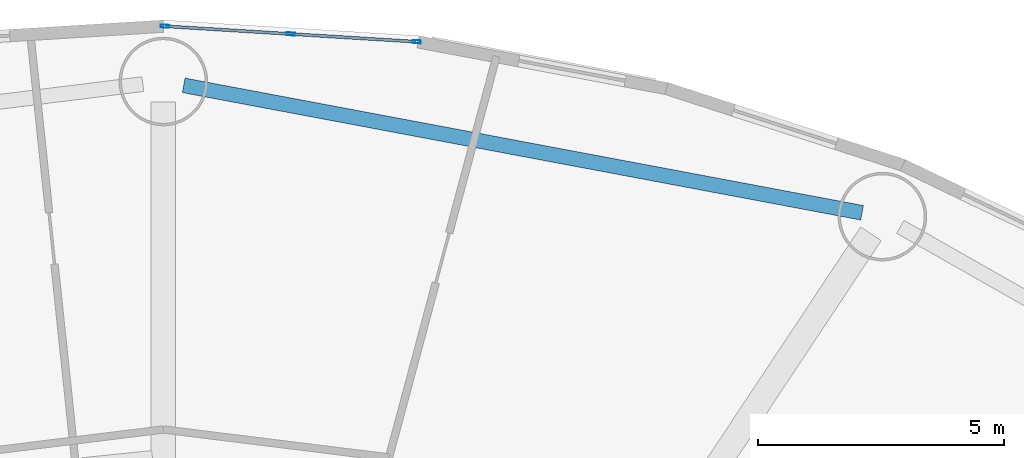
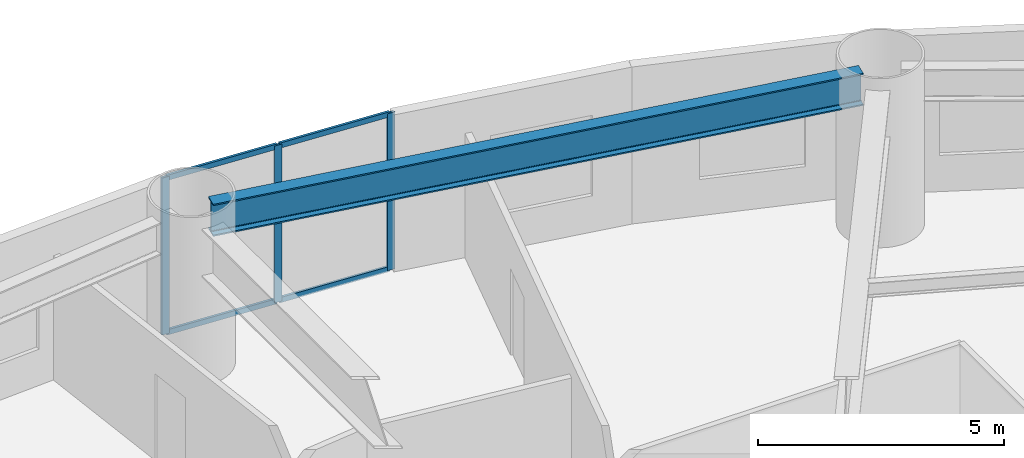
# One storey, part 10 of 27: 7 members, 1 beam, 1 element without a shape of its own.
"""IFC4 building model written with IfcOpenShell, lengths in metres."""

from ifc_helpers import new_model, si_unit, direction, frame, origin, origin_2d, place, context, subcontext, project, spatial, hollow_rectangle, i_section, extrude, source, transform, mapped, material, layer, layer_set, material_profile, profile_set, type_object, element, aggregate, save


model = new_model("IFC4")

# Units and contexts
model_context = context("Model", 3, precision=1e-05, world=origin(), true_north=direction((0.0, 1.0)))
body_context = subcontext(model_context, "Body", "Model", "MODEL_VIEW")
ifc_project = project(units=[si_unit("LENGTHUNIT", "METRE"), si_unit("AREAUNIT", "SQUARE_METRE"), si_unit("VOLUMEUNIT", "CUBIC_METRE"), si_unit("PLANEANGLEUNIT", "RADIAN"), si_unit("MASSUNIT", "GRAM", prefix="KILO")], contexts=[model_context])

# Site, building, storey
site_placement = place(None, origin())
site = spatial("IfcSite", under=ifc_project, at=site_placement, CompositionType="ELEMENT")
building_placement = place(site_placement, origin())
building = spatial("IfcBuilding", under=site, at=building_placement, Name="Linh Dai School and Residence Tower", CompositionType="ELEMENT")
storey_placement = place(building_placement, frame((0.0, 0.0, 22.800048828125)))
storey = spatial("IfcBuildingStorey", under=building, at=storey_placement, Name="L05", CompositionType="ELEMENT", Elevation=22.800048828125)

# Beam
ifc_material_1 = material(Name="Structural Steel S355JR", Category="steel")
ifc_material_profile_1 = material_profile(ifc_material_1, i_section(OverallWidth=0.300048828125, OverallDepth=0.800048828125, WebThickness=0.017578125, FlangeThickness=0.032958984375, FilletRadius=0.030029296875, at=origin_2d()), Name="HEB 800")
ifc_profile_set_1 = profile_set([ifc_material_profile_1], Name="Structural Steel S355JR")
beam_type = type_object("IfcBeamType", Name="BM-RG8", PredefinedType="BEAM", material=ifc_profile_set_1)
beam_placement = place(storey_placement, frame((50.196533203125, 49.082763671875, 3.5), z_axis=(-0.98280551354, 0.184643772045, 0.0), x_axis=(-0.184643772045, -0.98280551354, 0.0)))
element("IfcBeam", 1, at=beam_placement, inside=storey, type_object=beam_type, Name="L05 Perimeter Elliptical Ring Beam 04", PredefinedType="BEAM", context=body_context, shape_type="SweptSolid", body=[
    extrude(i_section(OverallWidth=0.300048828125, OverallDepth=0.800048828125, WebThickness=0.017578125, FlangeThickness=0.032958984375, FilletRadius=0.030029296875, at=origin_2d()), origin(), (0.0, 0.0, 1.0), 14.02490234375),
])

# Curtain wall, members
ifc_material_2 = material(Name="Aluminium Anodised Curtain Wall", Category="aluminium")
ifc_layer = layer(ifc_material_2, 0.169921875)
ifc_layer_set = layer_set([ifc_layer], Name="Aluminium Anodised Curtain Wall")
curtain_wall_type = type_object("IfcCurtainWallType", Name="CW-SYS-2", PredefinedType="USERDEFINED", material=ifc_layer_set)
curtain_wall_placement = place(storey_placement, origin())
curtain_wall = element("IfcCurtainWall", 2, at=curtain_wall_placement, inside=storey, type_object=curtain_wall_type, Name="L05 CW2 Curtain Wall 10", ObjectType="UNITISED CURTAIN WALL", PredefinedType="USERDEFINED")
ifc_material_3 = material(Name="Aluminium Alloy 6063-T6", Category="aluminium")
ifc_material_profile_2 = material_profile(ifc_material_3, hollow_rectangle(XDim=0.06005859375, YDim=0.169921875, WallThickness=0.00390625, at=origin_2d()), Name="RHS 170x60x4")
ifc_profile_set_2 = profile_set([ifc_material_profile_2], Name="Aluminium Alloy 6063-T6")
member_type_1 = type_object("IfcMemberType", Name="CW-SYS-2-MUL", PredefinedType="MULLION", material=ifc_profile_set_2)
shared_shape_1 = source(origin(), body_context, "Body", "SweptSolid", [
    extrude(hollow_rectangle(XDim=0.06005859375, YDim=0.169921875, WallThickness=0.00390625, at=origin_2d()), origin(), (0.0, 0.0, 1.0), 3.89990234375),
])
member_1_placement = place(storey_placement, frame((36.030029296875, 52.873046875, 0.0), z_axis=(0.0, 0.0, 1.0), x_axis=(0.061516182598, 0.998106086185, 0.0)))
member_1 = element("IfcMember", 3, at=member_1_placement, type_object=member_type_1, Name="CW2 mullion 1", PredefinedType="MULLION", context=body_context, shape_type="MappedRepresentation", body=[
    mapped(shared_shape_1, transform((0.0, 0.0, 0.0), x_axis=(1.0, 0.0, 0.0), y_axis=(0.0, 1.0, 0.0), z_axis=(0.0, 0.0, 1.0), scale=1.0)),
])
member_2_placement = place(storey_placement, frame((38.589111328125, 52.71533203125, 0.0), z_axis=(0.0, 0.0, 1.0), x_axis=(0.061516182598, 0.998106086185, 0.0)))
member_2 = element("IfcMember", 4, at=member_2_placement, type_object=member_type_1, Name="CW2 mullion 2", PredefinedType="MULLION", context=body_context, shape_type="MappedRepresentation", body=[
    mapped(shared_shape_1, transform((0.0, 0.0, 0.0), x_axis=(1.0, 0.0, 0.0), y_axis=(0.0, 1.0, 0.0), z_axis=(0.0, 0.0, 1.0), scale=1.0)),
])
member_3_placement = place(storey_placement, frame((41.148193359375, 52.5576171875, 0.0), z_axis=(0.0, 0.0, 1.0), x_axis=(0.061516182598, 0.998106086185, 0.0)))
member_3 = element("IfcMember", 5, at=member_3_placement, type_object=member_type_1, Name="CW2 mullion 3", PredefinedType="MULLION", context=body_context, shape_type="MappedRepresentation", body=[
    mapped(shared_shape_1, transform((0.0, 0.0, 0.0), x_axis=(1.0, 0.0, 0.0), y_axis=(0.0, 1.0, 0.0), z_axis=(0.0, 0.0, 1.0), scale=1.0)),
])
ifc_material_profile_3 = material_profile(ifc_material_3, hollow_rectangle(XDim=0.06005859375, YDim=0.1298828125, WallThickness=0.00390625, at=origin_2d()), Name="RHS 130x60x4")
ifc_profile_set_3 = profile_set([ifc_material_profile_3], Name="Aluminium Alloy 6063-T6")
member_type_2 = type_object("IfcMemberType", Name="CW-SYS-2-TRN", PredefinedType="USERDEFINED", material=ifc_profile_set_3)
shared_shape_2 = source(origin(), body_context, "Body", "SweptSolid", [
    extrude(hollow_rectangle(XDim=0.06005859375, YDim=0.1298828125, WallThickness=0.00390625, at=origin_2d()), origin(), (0.0, 0.0, 1.0), 2.50390625),
])
member_4_placement = place(storey_placement, frame((36.059814453125, 52.871337890625, 0.030029296875), z_axis=(0.99810570363, -0.061522389273, 0.0), x_axis=(0.061522389273, 0.99810570363, 0.0)))
member_4 = element("IfcMember", 6, at=member_4_placement, type_object=member_type_2, Name="CW2 transom 1.1", ObjectType="TRANSOM", PredefinedType="USERDEFINED", context=body_context, shape_type="MappedRepresentation", body=[
    mapped(shared_shape_2, transform((0.0, 0.0, 0.0), x_axis=(1.0, 0.0, 0.0), y_axis=(0.0, 1.0, 0.0), z_axis=(0.0, 0.0, 1.0), scale=1.0)),
])
member_5_placement = place(storey_placement, frame((36.059814453125, 52.871337890625, 3.869873046875), z_axis=(0.99810570363, -0.061522389273, 0.0), x_axis=(0.061522389273, 0.99810570363, 0.0)))
member_5 = element("IfcMember", 7, at=member_5_placement, type_object=member_type_2, Name="CW2 transom 1.2", ObjectType="TRANSOM", PredefinedType="USERDEFINED", context=body_context, shape_type="MappedRepresentation", body=[
    mapped(shared_shape_2, transform((0.0, 0.0, 0.0), x_axis=(1.0, 0.0, 0.0), y_axis=(0.0, 1.0, 0.0), z_axis=(0.0, 0.0, 1.0), scale=1.0)),
])
member_6_placement = place(storey_placement, frame((38.619140625, 52.713623046875, 0.030029296875), z_axis=(0.99810570363, -0.061522389273, 0.0), x_axis=(0.061522389273, 0.99810570363, 0.0)))
member_6 = element("IfcMember", 8, at=member_6_placement, type_object=member_type_2, Name="CW2 transom 2.1", ObjectType="TRANSOM", PredefinedType="USERDEFINED", context=body_context, shape_type="MappedRepresentation", body=[
    mapped(shared_shape_2, transform((0.0, 0.0, 0.0), x_axis=(1.0, 0.0, 0.0), y_axis=(0.0, 1.0, 0.0), z_axis=(0.0, 0.0, 1.0), scale=1.0)),
])
member_7_placement = place(storey_placement, frame((38.619140625, 52.713623046875, 3.869873046875), z_axis=(0.99810570363, -0.061522389273, 0.0), x_axis=(0.061522389273, 0.99810570363, 0.0)))
member_7 = element("IfcMember", 9, at=member_7_placement, type_object=member_type_2, Name="CW2 transom 2.2", ObjectType="TRANSOM", PredefinedType="USERDEFINED", context=body_context, shape_type="MappedRepresentation", body=[
    mapped(shared_shape_2, transform((0.0, 0.0, 0.0), x_axis=(1.0, 0.0, 0.0), y_axis=(0.0, 1.0, 0.0), z_axis=(0.0, 0.0, 1.0), scale=1.0)),
])
aggregate(curtain_wall, [member_1, member_2, member_3, member_4, member_5, member_6, member_7])

save(model, "model.ifc")
